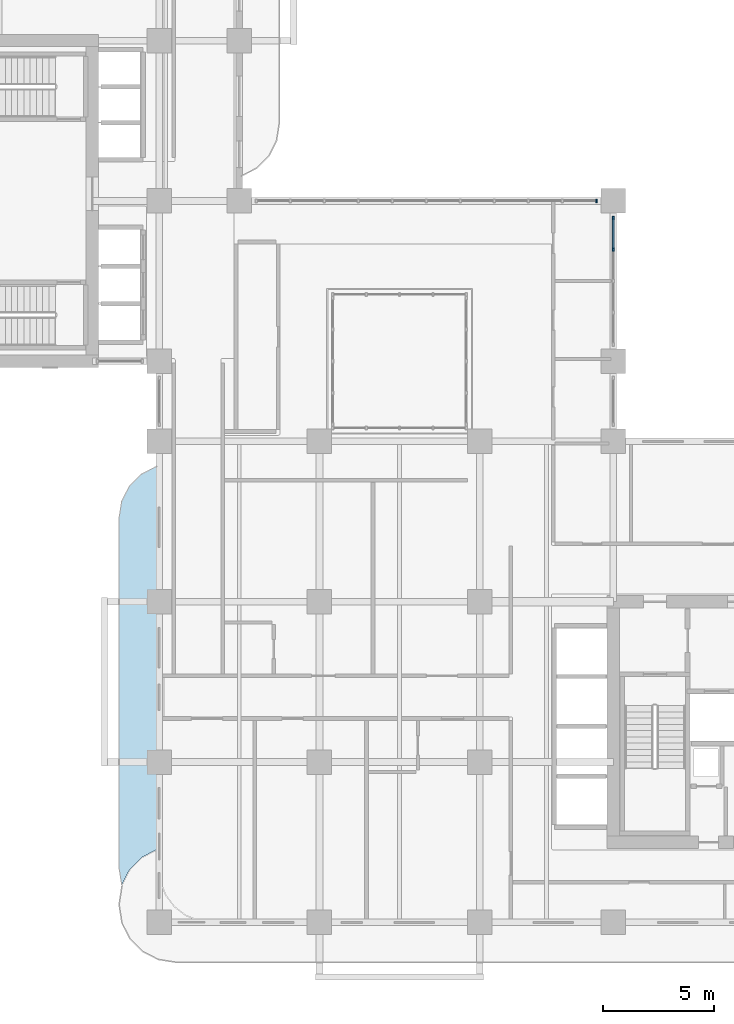
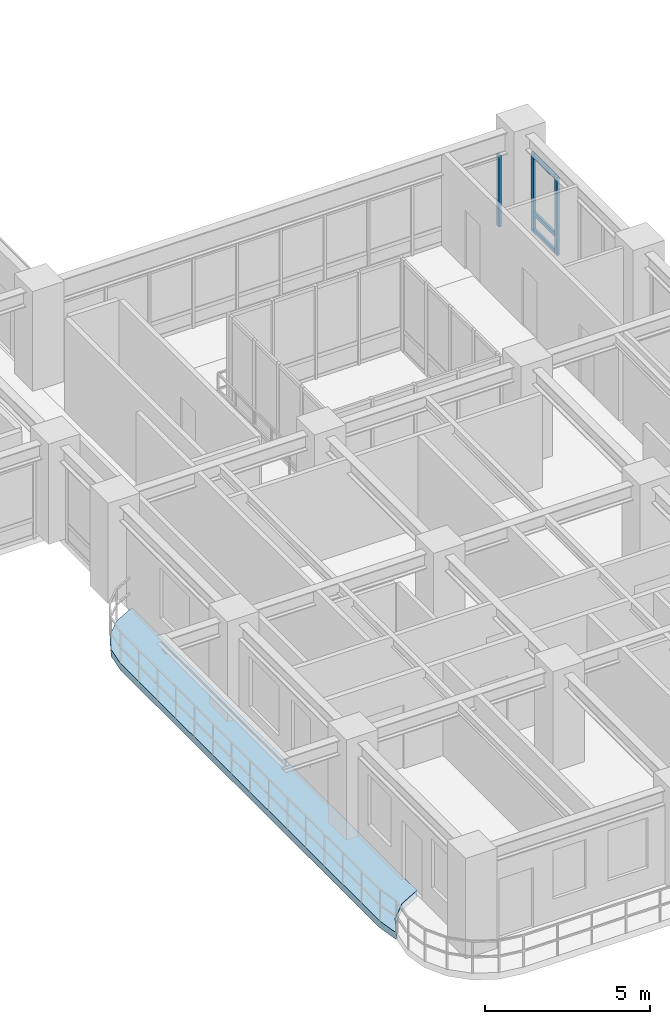
# One storey, part 8 of 22: 6 members, 1 slab, 2 elements without a shape of their own.
"""IFC4 building model written with IfcOpenShell, lengths in metres."""

from ifc_helpers import new_model, si_unit, derived_unit, direction, frame, origin, origin_2d, place, context, subcontext, project, spatial, polyline, rectangle, outline, extrude, source, transform, mapped, material, layer, layer_set, material_profile, profile_set, type_object, element, aggregate, save


model = new_model("IFC4")

# Units and contexts
model_context = context("Model", 3, precision=1e-05, world=origin(), true_north=direction((0.0, 1.0)))
body_context = subcontext(model_context, "Body", "Model", "MODEL_VIEW")
ifc_project = project(units=[si_unit("LENGTHUNIT", "METRE"), si_unit("AREAUNIT", "SQUARE_METRE"), si_unit("VOLUMEUNIT", "CUBIC_METRE"), si_unit("PLANEANGLEUNIT", "RADIAN"), si_unit("MASSUNIT", "GRAM", prefix="KILO"), si_unit("THERMODYNAMICTEMPERATUREUNIT", "KELVIN"), si_unit("POWERUNIT", "WATT"), derived_unit("THERMALTRANSMITTANCEUNIT", [(si_unit("POWERUNIT", "WATT"), 1), (si_unit("AREAUNIT", "SQUARE_METRE"), -1), (si_unit("THERMODYNAMICTEMPERATUREUNIT", "KELVIN"), -1)])], contexts=[model_context])

# Site, building, storey
site_placement = place(None, origin())
site = spatial("IfcSite", under=ifc_project, at=site_placement, CompositionType="ELEMENT")
building_placement = place(site_placement, origin())
building = spatial("IfcBuilding", under=site, at=building_placement, Name="Zahravan Archway Hotel and Residences", CompositionType="ELEMENT")
storey_placement = place(building_placement, frame((0.0, 0.0, 95.300048828125)))
storey = spatial("IfcBuildingStorey", under=building, at=storey_placement, Name="L23", CompositionType="ELEMENT", Elevation=95.300048828125)

# Curtain wall, members
ifc_material_1 = material(Name="Bronze-Anodized Unitised Aluminium & Low-E Glass", Category="aluminium")
ifc_layer_1 = layer(ifc_material_1, 0.179931640625, Name="Bronze-Anodized Unitised Aluminium & Low-E Glass", Category="aluminium")
ifc_layer_set_1 = layer_set([ifc_layer_1], Name="Bronze-Anodized Unitised Aluminium & Low-E Glass")
curtain_wall_type = type_object("IfcCurtainWallType", Name="CW-ATR-GLAZ", PredefinedType="NOTDEFINED", material=ifc_layer_set_1)
curtain_wall_1_placement = place(storey_placement, origin())
curtain_wall_1 = element("IfcCurtainWall", 1, at=curtain_wall_1_placement, inside=storey, type_object=curtain_wall_type, Name="L23 Curtain Wall CW-L23-HNG-E-2", PredefinedType="NOTDEFINED")
ifc_material_2 = material(Name="Bronze-Anodized Extruded Aluminium", Category="aluminium")
ifc_material_profile_1 = material_profile(ifc_material_2, rectangle(XDim=0.080078125, YDim=0.139892578125, at=origin_2d()), Name="TRN 80x140", Category="aluminium")
ifc_profile_set_1 = profile_set([ifc_material_profile_1], Name="Bronze-Anodized Extruded Aluminium")
member_type_1 = type_object("IfcMemberType", Name="CWM-TRN-140", PredefinedType="USERDEFINED", material=ifc_profile_set_1)
shared_shape_1 = source(origin(), body_context, "Body", "SweptSolid", [
    extrude(rectangle(XDim=0.080078125, YDim=0.139892578125, at=origin_2d()), origin(), (0.0, 0.0, 1.0), 1.340087890625),
])
member_1_placement = place(storey_placement, frame((34.800048828125, 30.260009765625, 0.070068359375), z_axis=(0.0, 1.0, 0.0), x_axis=(-1.0, 0.0, 0.0)))
member_1 = element("IfcMember", 2, at=member_1_placement, type_object=member_type_1, Name="CW-L23-HNG-E-2 Transom 3-1", ObjectType="TRANSOM", PredefinedType="USERDEFINED", context=body_context, shape_type="MappedRepresentation", body=[
    mapped(shared_shape_1, transform((0.0, 0.0, 0.0), scale=1.0)),
])
member_2_placement = place(storey_placement, frame((34.800048828125, 30.260009765625, 0.6923828125), z_axis=(0.0, 1.0, 0.0), x_axis=(-1.0, 0.0, 0.0)))
member_2 = element("IfcMember", 3, at=member_2_placement, type_object=member_type_1, Name="CW-L23-HNG-E-2 Transom 3-2", ObjectType="TRANSOM", PredefinedType="USERDEFINED", context=body_context, shape_type="MappedRepresentation", body=[
    mapped(shared_shape_1, transform((0.0, 0.0, 0.0), scale=1.0)),
])
member_3_placement = place(storey_placement, frame((34.800048828125, 30.260009765625, 2.81494140625), z_axis=(0.0, 1.0, 0.0), x_axis=(-1.0, 0.0, 0.0)))
member_3 = element("IfcMember", 4, at=member_3_placement, type_object=member_type_1, Name="CW-L23-HNG-E-2 Transom 3-3", ObjectType="TRANSOM", PredefinedType="USERDEFINED", context=body_context, shape_type="MappedRepresentation", body=[
    mapped(shared_shape_1, transform((0.0, 0.0, 0.0), scale=1.0)),
])
ifc_material_profile_2 = material_profile(ifc_material_2, rectangle(XDim=0.080078125, YDim=0.159912109375, at=origin_2d()), Name="MUL 80x160", Category="aluminium")
ifc_profile_set_2 = profile_set([ifc_material_profile_2], Name="Bronze-Anodized Extruded Aluminium")
member_type_2 = type_object("IfcMemberType", Name="CWM-MUL-160", PredefinedType="MULLION", material=ifc_profile_set_2)
shared_shape_2 = source(origin(), body_context, "Body", "SweptSolid", [
    extrude(rectangle(XDim=0.080078125, YDim=0.159912109375, at=origin_2d()), origin(), (0.0, 0.0, 1.0), 2.885009765625),
])
member_4_placement = place(storey_placement, frame((34.800048828125, 30.219970703125, 0.0), z_axis=(0.0, 0.0, 1.0), x_axis=(1.0, 0.0, 0.0)))
member_4 = element("IfcMember", 5, at=member_4_placement, type_object=member_type_2, Name="CW-L23-HNG-E-2 Mullion 3", PredefinedType="MULLION", context=body_context, shape_type="MappedRepresentation", body=[
    mapped(shared_shape_2, transform((0.0, 0.0, 0.0), scale=1.0)),
])
member_5_placement = place(storey_placement, frame((34.800048828125, 31.639892578125, 0.0), z_axis=(0.0, 0.0, 1.0), x_axis=(1.0, 0.0, 0.0)))
member_5 = element("IfcMember", 6, at=member_5_placement, type_object=member_type_2, Name="CW-L23-HNG-E-2 Mullion 4", PredefinedType="MULLION", context=body_context, shape_type="MappedRepresentation", body=[
    mapped(shared_shape_2, transform((0.0, 0.0, 0.0), scale=1.0)),
])
aggregate(curtain_wall_1, [member_4, member_5, member_1, member_2, member_3])

# Curtain wall, member
curtain_wall_2_placement = place(storey_placement, origin())
curtain_wall_2 = element("IfcCurtainWall", 7, at=curtain_wall_2_placement, inside=storey, type_object=curtain_wall_type, Name="L23 Curtain Wall CW-L23-HNG-N-1", PredefinedType="NOTDEFINED")
shared_shape_3 = source(origin(), body_context, "Body", "SweptSolid", [
    extrude(rectangle(XDim=0.080078125, YDim=0.159912109375, at=origin_2d()), origin(), (0.0, 0.0, 1.0), 2.635009765625),
])
member_6_placement = place(storey_placement, frame((34.0400390625, 32.39990234375, 0.0), z_axis=(0.0, 0.0, 1.0), x_axis=(1.0, 0.0, 0.0)))
member_6 = element("IfcMember", 8, at=member_6_placement, type_object=member_type_2, Name="CW-L23-HNG-N-1 Mullion 10", PredefinedType="MULLION", context=body_context, shape_type="MappedRepresentation", body=[
    mapped(shared_shape_3, transform((0.0, 0.0, 0.0), scale=1.0)),
])
aggregate(curtain_wall_2, [member_6])

# Slab
ifc_material_3 = material(Name="Concrete C45/55", Category="concrete")
ifc_layer_2 = layer(ifc_material_3, 0.25, Name="Concrete C45/55", Category="concrete")
ifc_layer_set_2 = layer_set([ifc_layer_2], Name="Concrete C45/55")
slab_type = type_object("IfcSlabType", Name="SLB-BALC-250", PredefinedType="FLOOR", material=ifc_layer_set_2)
slab_placement = place(storey_placement, frame((0.0, 0.0, -0.25)))
element("IfcSlab", 9, at=slab_placement, inside=storey, type_object=slab_type, Name="L23 Wing A West Rounded Balcony Band", PredefinedType="FLOOR", context=body_context, shape_type="SweptSolid", body=[
    extrude(outline(polyline([(12.719970703125, 1.69287109375), (12.60009765625, 2.449951171875), (12.60009765625, 18.14990234375), (12.719970703125, 18.906982421875), (13.06787109375, 19.590087890625), (13.60986328125, 20.132080078125), (14.29296875, 20.47998046875), (14.3798828125, 20.493896484375), (14.3798828125, 3.298095703125), (14.37890625, 3.298095703125), (14.376953125, 3.2978515625), (14.35888671875, 3.294921875), (14.356689453125, 3.29443359375), (14.354736328125, 3.2939453125), (14.352783203125, 3.29296875), (13.64208984375, 2.930908203125), (13.64013671875, 2.9296875), (13.638427734375, 2.928466796875), (13.636962890625, 2.927001953125), (13.072998046875, 2.363037109375), (13.071533203125, 2.361572265625), (13.0703125, 2.35986328125), (13.069091796875, 2.35791015625), (12.72509765625, 1.6826171875), (12.719970703125, 1.69287109375)])), origin(), (0.0, 0.0, 1.0), 0.25),
])

save(model, "model.ifc")
